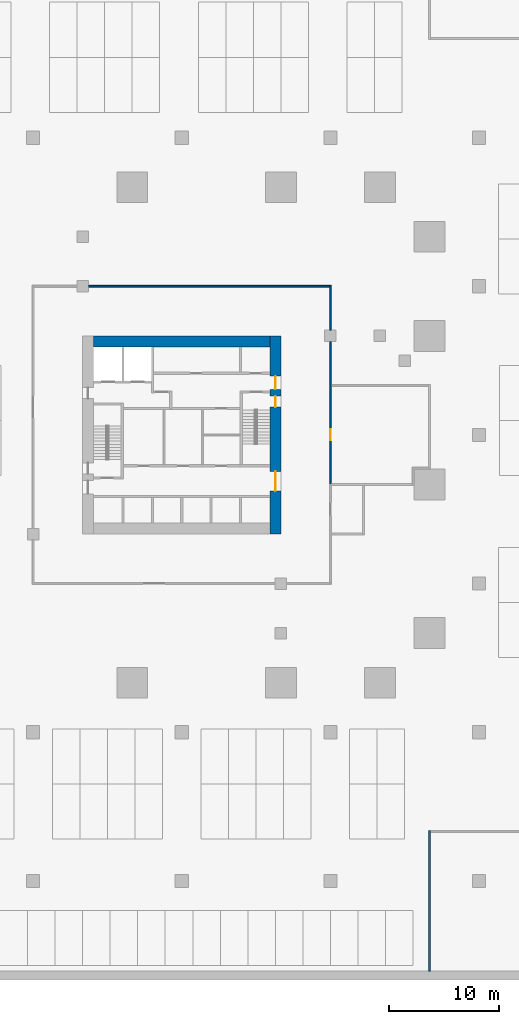
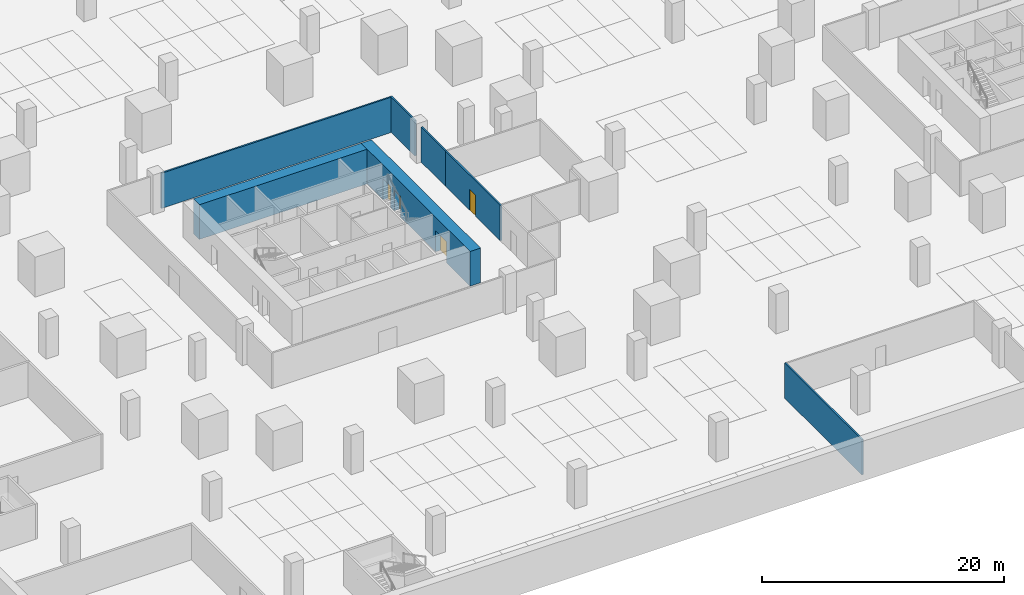
# One storey, part 5 of 31: 7 walls, 4 doors, 4 openings.
"""IFC4 building model written with IfcOpenShell, lengths in metres."""

from ifc_helpers import new_model, si_unit, direction, frame, frame_2d, origin, place, context, subcontext, project, spatial, rectangle, extrude, material, layer, layer_set, type_object, element, fill, save


model = new_model("IFC4")

# Units and contexts
model_context = context("Model", 3, precision=1e-05, world=origin(), true_north=direction((0.0, 1.0)))
body_context = subcontext(model_context, "Body", "Model", "MODEL_VIEW")
ifc_project = project(units=[si_unit("LENGTHUNIT", "METRE"), si_unit("AREAUNIT", "SQUARE_METRE"), si_unit("VOLUMEUNIT", "CUBIC_METRE"), si_unit("PLANEANGLEUNIT", "RADIAN"), si_unit("MASSUNIT", "GRAM", prefix="KILO")], contexts=[model_context])

# Site, building, storey
site_placement = place(None, origin())
site = spatial("IfcSite", under=ifc_project, at=site_placement, CompositionType="ELEMENT")
building_placement = place(site_placement, origin())
building = spatial("IfcBuilding", under=site, at=building_placement, Name="Altepetl Exchange Towers", CompositionType="ELEMENT")
storey_placement = place(building_placement, frame((0.0, 0.0, -4.0)))
storey = spatial("IfcBuildingStorey", under=building, at=storey_placement, Name="B1 Basement services", CompositionType="ELEMENT", Elevation=-4.0)

# Wall, openings, doors
ifc_material_1 = material(Name="Concrete C70/85", Category="concrete")
ifc_layer_1 = layer(ifc_material_1, 1.0)
ifc_layer_set_1 = layer_set([ifc_layer_1], Name="Concrete C70/85")
wall_type_1 = type_object("IfcWallType", Name="Core wall 1000 reinforced concrete", PredefinedType="SHEAR", material=ifc_layer_set_1)
wall_1_placement = place(storey_placement, frame((58.0, 40.5, 0.0), z_axis=(0.0, 0.0, 1.0), x_axis=(0.0, 1.0, 0.0)))
wall_1 = element("IfcWall", 1, at=wall_1_placement, inside=storey, type_object=wall_type_1, Name="wall:A:B1:K-coreE", PredefinedType="SHEAR", context=body_context, shape_type="SweptSolid", body=[
    extrude(rectangle(XDim=18.0, YDim=1.0, at=frame_2d((9.0, 0.0))), origin(), (0.0, 0.0, 1.0), 3.5),
])
opening_1_placement = place(wall_1_placement, frame((13.14990234375, 0.0, 0.0)))
opening_1 = element("IfcOpeningElement", 2, at=opening_1_placement, cuts=wall_1, Name="Opening B1.A60", PredefinedType="OPENING", context=body_context, shape_type="SweptSolid", body=[
    extrude(rectangle(XDim=1.199951171875, YDim=2.10009765625, at=frame_2d((0.60009765625, 1.050048828125))), frame((0.0, 0.510009765625, 0.0), z_axis=(0.0, -1.0, 0.0), x_axis=(1.0, 0.0, 0.0)), (0.0, 0.0, 1.0), 1.02001953125),
])
opening_2_placement = place(wall_1_placement, frame((3.89990234375, 0.0, 0.0)))
opening_2 = element("IfcOpeningElement", 3, at=opening_2_placement, cuts=wall_1, Name="Opening B1.A61", PredefinedType="OPENING", context=body_context, shape_type="SweptSolid", body=[
    extrude(rectangle(XDim=1.800048828125, YDim=2.10009765625, at=frame_2d((0.89990234375, 1.050048828125))), frame((0.0, 0.510009765625, 0.0), z_axis=(0.0, -1.0, 0.0), x_axis=(1.0, 0.0, 0.0)), (0.0, 0.0, 1.0), 1.02001953125),
])
opening_3_placement = place(wall_1_placement, frame((11.52490234375, 0.0, 0.0)))
opening_3 = element("IfcOpeningElement", 4, at=opening_3_placement, cuts=wall_1, Name="Opening B1.A66", PredefinedType="OPENING", context=body_context, shape_type="SweptSolid", body=[
    extrude(rectangle(XDim=1.0, YDim=2.10009765625, at=frame_2d((0.5, 1.050048828125))), frame((0.0, 0.510009765625, 0.0), z_axis=(0.0, -1.0, 0.0), x_axis=(1.0, 0.0, 0.0)), (0.0, 0.0, 1.0), 1.02001953125),
])
ifc_material_2 = material(Name="Steel and timber fire door", Category="steel")
door_type_1 = type_object("IfcDoorType", Name="Fire door 1000 x 2100 stair and lobby", OperationType="SINGLE_SWING_LEFT", PredefinedType="DOOR", material=ifc_material_2)
door_1_placement = place(opening_3_placement, origin())
door_1 = element("IfcDoor", 5, at=door_1_placement, inside=storey, type_object=door_type_1, Name="door:A:B1:K-dS2x", OperationType="SINGLE_SWING_RIGHT", OverallHeight=2.10009765625, OverallWidth=1.0, PredefinedType="DOOR", context=body_context, shape_type="SweptSolid", body=[
    extrude(rectangle(XDim=1.0, YDim=2.10009765625, at=frame_2d((0.5, 1.050048828125))), frame((0.0, 0.02490234375, 0.0), z_axis=(0.0, -1.0, 0.0), x_axis=(1.0, 0.0, 0.0)), (0.0, 0.0, 1.0), 0.050048828125),
])
fill(opening_3, door_1)
door_type_2 = type_object("IfcDoorType", Name="Fire door 1200 x 2100 lobby entry", OperationType="SINGLE_SWING_LEFT", PredefinedType="DOOR", material=ifc_material_2)
door_2_placement = place(opening_1_placement, origin())
door_2 = element("IfcDoor", 6, at=door_2_placement, inside=storey, type_object=door_type_2, Name="door:A:B1:K-dLNE", OperationType="SINGLE_SWING_RIGHT", OverallHeight=2.10009765625, OverallWidth=1.199951171875, PredefinedType="DOOR", context=body_context, shape_type="SweptSolid", body=[
    extrude(rectangle(XDim=1.199951171875, YDim=2.10009765625, at=frame_2d((0.60009765625, 1.050048828125))), frame((0.0, 0.02490234375, 0.0), z_axis=(0.0, -1.0, 0.0), x_axis=(1.0, 0.0, 0.0)), (0.0, 0.0, 1.0), 0.050048828125),
])
fill(opening_1, door_2)
door_type_3 = type_object("IfcDoorType", Name="Fire door 1800 x 2100 lobby entry", OperationType="DOUBLE_DOOR_SINGLE_SWING", PredefinedType="DOOR", material=ifc_material_2)
door_3_placement = place(opening_2_placement, origin())
door_3 = element("IfcDoor", 7, at=door_3_placement, inside=storey, type_object=door_type_3, Name="door:A:B1:K-dLSE", OperationType="DOUBLE_DOOR_SINGLE_SWING", OverallHeight=2.10009765625, OverallWidth=1.800048828125, PredefinedType="DOOR", context=body_context, shape_type="SweptSolid", body=[
    extrude(rectangle(XDim=1.800048828125, YDim=2.10009765625, at=frame_2d((0.89990234375, 1.050048828125))), frame((0.0, 0.02490234375, 0.0), z_axis=(0.0, -1.0, 0.0), x_axis=(1.0, 0.0, 0.0)), (0.0, 0.0, 1.0), 0.050048828125),
])
fill(opening_2, door_3)

# Walls
wall_2_placement = place(storey_placement, frame((41.5, 58.0, 0.0)))
element("IfcWall", 8, at=wall_2_placement, inside=storey, type_object=wall_type_1, Name="wall:A:B1:K-coreN", PredefinedType="SHEAR", context=body_context, shape_type="SweptSolid", body=[
    extrude(rectangle(XDim=16.0, YDim=1.0, at=frame_2d((8.0, 0.0))), origin(), (0.0, 0.0, 1.0), 3.5),
])
ifc_material_3 = material(Name="Gypsum board on steel studs", Category="steel")
ifc_layer_2 = layer(ifc_material_3, 0.14990234375)
ifc_layer_set_2 = layer_set([ifc_layer_2], Name="Gypsum board on steel studs")
wall_type_2 = type_object("IfcWallType", Name="Podium partition 150", PredefinedType="PARTITIONING", material=ifc_layer_set_2)
wall_3_placement = place(storey_placement, frame((72.0, 0.800048828125, 0.0), z_axis=(0.0, 0.0, 1.0), x_axis=(0.0, 1.0, 0.0)))
element("IfcWall", 9, at=wall_3_placement, inside=storey, type_object=wall_type_2, Name="wall:P:B1:P011", PredefinedType="PARTITIONING", context=body_context, shape_type="SweptSolid", body=[
    extrude(rectangle(XDim=12.77490234375, YDim=0.14990234375, at=frame_2d((6.387451171875, 0.0))), origin(), (0.0, 0.0, 1.0), 3.550048828125),
])

# Wall, opening, door
wall_4_placement = place(storey_placement, frame((63.0, 44.925048828125, 0.0), z_axis=(0.0, 0.0, 1.0), x_axis=(0.0, 1.0, 0.0)))
wall_4 = element("IfcWall", 10, at=wall_4_placement, inside=storey, type_object=wall_type_2, Name="wall:P:B1:P031", PredefinedType="PARTITIONING", context=body_context, shape_type="SweptSolid", body=[
    extrude(rectangle(XDim=9.14990234375, YDim=0.14990234375, at=frame_2d((4.574951171875, 0.0))), origin(), (0.0, 0.0, 1.0), 3.550048828125),
])
opening_4_placement = place(wall_4_placement, frame((4.074951171875, 0.0, 0.0)))
opening_4 = element("IfcOpeningElement", 11, at=opening_4_placement, cuts=wall_4, Name="Opening B1.P011", PredefinedType="OPENING", context=body_context, shape_type="SweptSolid", body=[
    extrude(rectangle(XDim=1.0, YDim=2.10009765625, at=frame_2d((0.5, 1.050048828125))), frame((0.0, 0.0849609375, 0.0), z_axis=(0.0, -1.0, 0.0), x_axis=(1.0, 0.0, 0.0)), (0.0, 0.0, 1.0), 0.169921875),
])
door_type_4 = type_object("IfcDoorType", Name="Podium fire door 1000 x 2100 single leaf", OperationType="SINGLE_SWING_LEFT", PredefinedType="DOOR", material=ifc_material_2)
door_4_placement = place(opening_4_placement, frame((1.0, 0.0, 0.0), x_axis=(-1.0, 0.0, 0.0)))
door_4 = element("IfcDoor", 12, at=door_4_placement, inside=storey, type_object=door_type_4, Name="door:P:B1:011", OperationType="SINGLE_SWING_RIGHT", OverallHeight=2.10009765625, OverallWidth=1.0, PredefinedType="DOOR", context=body_context, shape_type="SweptSolid", body=[
    extrude(rectangle(XDim=1.0, YDim=2.10009765625, at=frame_2d((0.5, 1.050048828125))), frame((0.0, 0.02490234375, 0.0), z_axis=(0.0, -1.0, 0.0), x_axis=(1.0, 0.0, 0.0)), (0.0, 0.0, 1.0), 0.050048828125),
])
fill(opening_4, door_4)

# Walls
wall_5_placement = place(storey_placement, frame((63.0, 54.0, 0.0), z_axis=(0.0, 0.0, 1.0), x_axis=(0.0, 1.0, 0.0)))
element("IfcWall", 13, at=wall_5_placement, inside=storey, type_object=wall_type_2, Name="wall:P:B1:P036", PredefinedType="PARTITIONING", context=body_context, shape_type="SweptSolid", body=[
    extrude(rectangle(XDim=3.97998046875, YDim=0.14990234375, at=frame_2d((1.989990234375, 0.0))), origin(), (0.0, 0.0, 1.0), 3.550048828125),
])
wall_6_placement = place(storey_placement, frame((63.0, 59.02001953125, 0.0), z_axis=(0.0, 0.0, 1.0), x_axis=(0.0, 1.0, 0.0)))
element("IfcWall", 14, at=wall_6_placement, inside=storey, type_object=wall_type_2, Name="wall:P:B1:P037", PredefinedType="PARTITIONING", context=body_context, shape_type="SweptSolid", body=[
    extrude(rectangle(XDim=4.054931640625, YDim=0.14990234375, at=frame_2d((2.02734375, 0.0))), origin(), (0.0, 0.0, 1.0), 3.550048828125),
])
wall_7_placement = place(storey_placement, frame((41.02001953125, 63.0, 0.0)))
element("IfcWall", 15, at=wall_7_placement, inside=storey, type_object=wall_type_2, Name="wall:P:B1:P041", PredefinedType="PARTITIONING", context=body_context, shape_type="SweptSolid", body=[
    extrude(rectangle(XDim=21.905029296875, YDim=0.14990234375, at=frame_2d((10.95263671875, 0.0))), origin(), (0.0, 0.0, 1.0), 3.550048828125),
])

save(model, "model.ifc")
